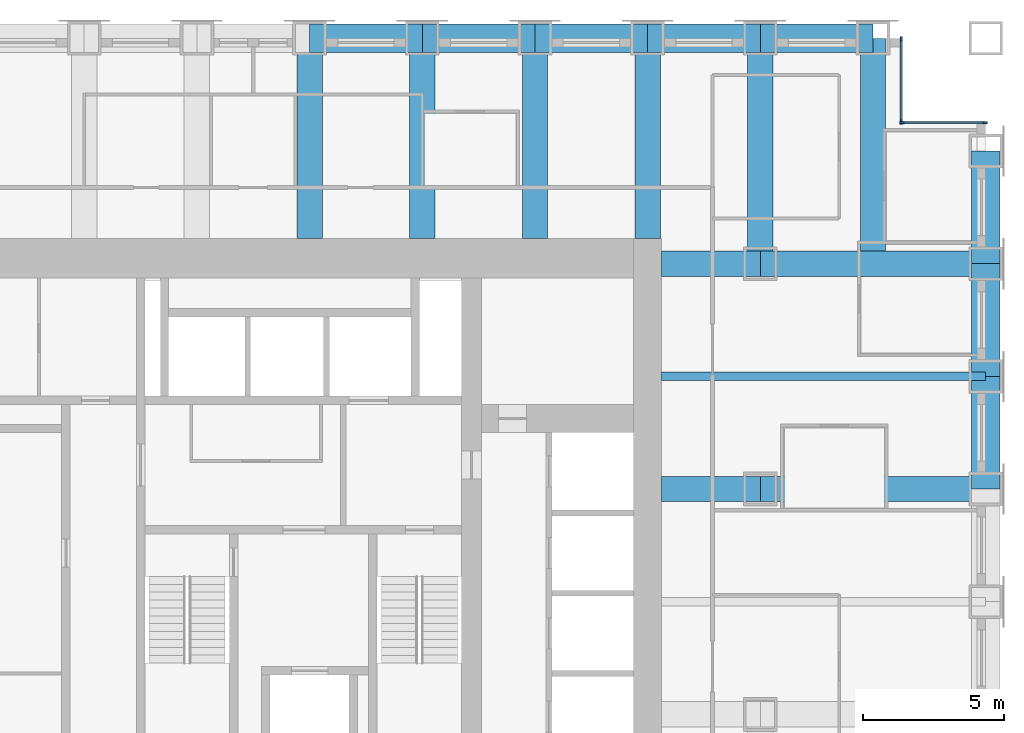
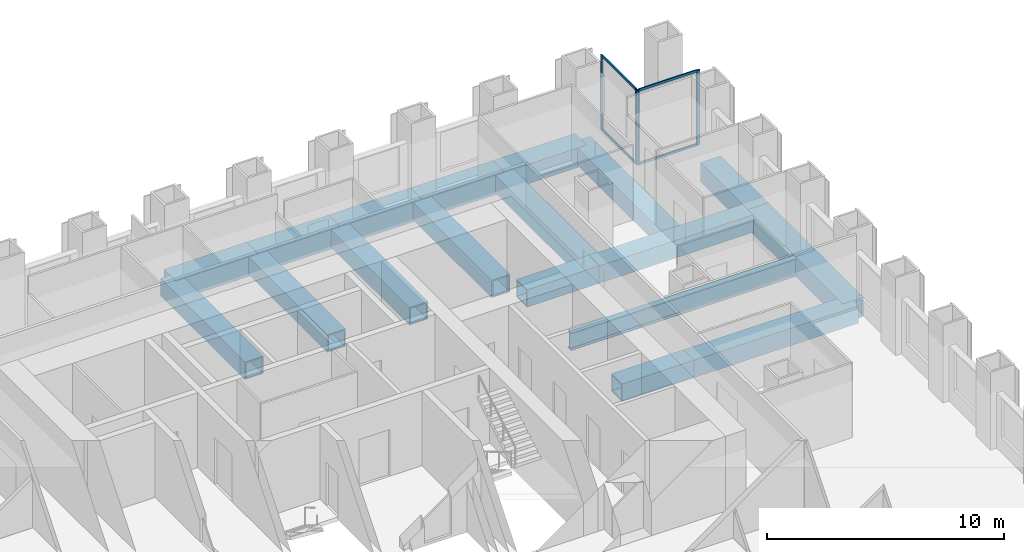
# One storey, part 7 of 15: 19 beams, 8 members, 2 elements without a shape of their own.
"""IFC4 building model written with IfcOpenShell, lengths in metres."""

from ifc_helpers import new_model, si_unit, direction, frame, origin, origin_2d, place, context, subcontext, project, spatial, rectangle, hollow_rectangle, i_section, extrude, material, material_profile, profile_set, type_object, element, aggregate, save


model = new_model("IFC4")

# Units and contexts
model_context = context("Model", 3, precision=1e-05, world=origin(), true_north=direction((0.0, 1.0)))
body_context = subcontext(model_context, "Body", "Model", "MODEL_VIEW")
ifc_project = project(units=[si_unit("LENGTHUNIT", "METRE"), si_unit("AREAUNIT", "SQUARE_METRE"), si_unit("VOLUMEUNIT", "CUBIC_METRE"), si_unit("PLANEANGLEUNIT", "RADIAN"), si_unit("MASSUNIT", "GRAM", prefix="KILO")], contexts=[model_context])

# Site, building, storey
site_placement = place(None, origin())
site = spatial("IfcSite", under=ifc_project, at=site_placement, CompositionType="ELEMENT")
building_placement = place(site_placement, origin())
building = spatial("IfcBuilding", under=site, at=building_placement, Name="Rimbunsela Tower", CompositionType="ELEMENT")
storey_placement = place(building_placement, frame((0.0, 0.0, 23.0)))
storey = spatial("IfcBuildingStorey", under=building, at=storey_placement, Name="L05", CompositionType="ELEMENT", Elevation=23.0)

# Beams
ifc_material_1 = material(Name="Steel BJ 55 (fy 410 MPa)", Category="steel")
ifc_material_profile_1 = material_profile(ifc_material_1, hollow_rectangle(XDim=1.0, YDim=1.0, WallThickness=0.10009765625, at=origin_2d()), Name="BOX 1000x1000x100")
ifc_profile_set_1 = profile_set([ifc_material_profile_1], Name="Steel BJ 55 (fy 410 MPa)")
beam_type_1 = type_object("IfcBeamType", Name="Beam BOX 1000x1000x100", PredefinedType="BEAM", material=ifc_profile_set_1)
for number, where, z_axis, x_axis, name in (
    (1, (30.0, 44.0, -0.64990234375), (1.0, 0.0, 0.0), (0.0, 1.0, 0.0), "Beam B3 L05"),
    (2, (34.0, 44.0, -0.64990234375), (1.0, 0.0, 0.0), (0.0, 1.0, 0.0), "Beam B3 L05"),
    (3, (38.0, 44.0, -0.64990234375), (1.0, 0.0, 0.0), (0.0, 1.0, 0.0), "Beam B3 L05"),
    (4, (42.0, 44.0, -0.64990234375), (1.0, 0.0, 0.0), (0.0, 1.0, 0.0), "Beam B3 L05"),
    (5, (46.0, 44.0, -0.64990234375), (1.0, 0.0, 0.0), (0.0, 1.0, 0.0), "Beam B3 L05"),
    (6, (54.0, 28.0, -0.64990234375), (0.0, 1.0, 0.0), (-1.0, 0.0, 0.0), "Beam B3 L05"),
    (7, (54.0, 32.0, -0.64990234375), (0.0, 1.0, 0.0), (-1.0, 0.0, 0.0), "Beam B3 L05"),
    (8, (54.0, 36.0, -0.64990234375), (0.0, 1.0, 0.0), (-1.0, 0.0, 0.0), "Beam B3 L05"),
):
    element("IfcBeam", number, at=place(storey_placement, frame(where, z_axis=z_axis, x_axis=x_axis)), inside=storey, type_object=beam_type_1, Name=name, PredefinedType="BEAM", context=body_context, shape_type="SweptSolid", body=[
        extrude(hollow_rectangle(XDim=1.0, YDim=1.0, WallThickness=0.10009765625, at=origin_2d()), origin(), (0.0, 0.0, 1.0), 4.0),
    ])
ifc_material_2 = material(Name="Steel BJ 55 (fy 410 MPa)", Category="steel")
ifc_material_profile_2 = material_profile(ifc_material_2, hollow_rectangle(XDim=0.89990234375, YDim=0.89990234375, WallThickness=0.06005859375, at=origin_2d()), Name="BOX 900x900x60")
ifc_profile_set_2 = profile_set([ifc_material_profile_2], Name="Steel BJ 55 (fy 410 MPa)")
beam_type_2 = type_object("IfcBeamType", Name="Beam BOX 900x900x60", PredefinedType="BEAM", material=ifc_profile_set_2)
for number, where, z_axis, x_axis, name in (
    (9, (30.0, 36.89990234375, -0.60009765625), (0.0, 1.0, 0.0), (-1.0, 0.0, 0.0), "Beam B1 L05"),
    (10, (34.0, 36.89990234375, -0.60009765625), (0.0, 1.0, 0.0), (-1.0, 0.0, 0.0), "Beam B1 L05"),
    (11, (38.0, 36.89990234375, -0.60009765625), (0.0, 1.0, 0.0), (-1.0, 0.0, 0.0), "Beam B1 L05"),
    (12, (42.0, 36.89990234375, -0.60009765625), (0.0, 1.0, 0.0), (-1.0, 0.0, 0.0), "Beam B1 L05"),
):
    element("IfcBeam", number, at=place(storey_placement, frame(where, z_axis=z_axis, x_axis=x_axis)), inside=storey, type_object=beam_type_2, Name=name, PredefinedType="BEAM", context=body_context, shape_type="SweptSolid", body=[
        extrude(hollow_rectangle(XDim=0.89990234375, YDim=0.89990234375, WallThickness=0.06005859375, at=origin_2d()), origin(), (0.0, 0.0, 1.0), 7.10009765625),
    ])
for number, where, z_axis, x_axis, name in (
    (13, (42.5, 28.0, -0.60009765625), (1.0, 0.0, 0.0), (0.0, 1.0, 0.0), "Beam B1 L05"),
    (14, (42.5, 36.0, -0.60009765625), (1.0, 0.0, 0.0), (0.0, 1.0, 0.0), "Beam B1 L05"),
):
    element("IfcBeam", number, at=place(storey_placement, frame(where, z_axis=z_axis, x_axis=x_axis)), inside=storey, type_object=beam_type_2, Name=name, PredefinedType="BEAM", context=body_context, shape_type="SweptSolid", body=[
        extrude(hollow_rectangle(XDim=0.89990234375, YDim=0.89990234375, WallThickness=0.06005859375, at=origin_2d()), origin(), (0.0, 0.0, 1.0), 3.5),
    ])
for number, where, z_axis, x_axis, name in (
    (15, (46.0, 28.0, -0.60009765625), (1.0, 0.0, 0.0), (0.0, 1.0, 0.0), "Beam B1 L05"),
    (16, (46.0, 36.0, -0.60009765625), (0.0, 1.0, 0.0), (-1.0, 0.0, 0.0), "Beam B1 L05"),
    (17, (46.0, 36.0, -0.60009765625), (1.0, 0.0, 0.0), (0.0, 1.0, 0.0), "Beam B1 L05"),
):
    element("IfcBeam", number, at=place(storey_placement, frame(where, z_axis=z_axis, x_axis=x_axis)), inside=storey, type_object=beam_type_2, Name=name, PredefinedType="BEAM", context=body_context, shape_type="SweptSolid", body=[
        extrude(hollow_rectangle(XDim=0.89990234375, YDim=0.89990234375, WallThickness=0.06005859375, at=origin_2d()), origin(), (0.0, 0.0, 1.0), 8.0),
    ])
beam_1_placement = place(storey_placement, frame((50.0, 36.449951171875, -0.60009765625), z_axis=(0.0, 1.0, 0.0), x_axis=(-1.0, 0.0, 0.0)))
element("IfcBeam", 18, at=beam_1_placement, inside=storey, type_object=beam_type_2, Name="Beam B1 L05", PredefinedType="BEAM", context=body_context, shape_type="SweptSolid", body=[
    extrude(hollow_rectangle(XDim=0.89990234375, YDim=0.89990234375, WallThickness=0.06005859375, at=origin_2d()), origin(), (0.0, 0.0, 1.0), 7.550048828125),
])
ifc_material_3 = material(Name="Steel BJ 55 (fy 410 MPa)", Category="steel")
ifc_material_profile_3 = material_profile(ifc_material_3, i_section(OverallWidth=0.300048828125, OverallDepth=0.89990234375, WebThickness=0.01611328125, FlangeThickness=0.028076171875, FilletRadius=0.028076171875, at=origin_2d()), Name="H 900x300x16x28")
ifc_profile_set_3 = profile_set([ifc_material_profile_3], Name="Steel BJ 55 (fy 410 MPa)")
beam_type_3 = type_object("IfcBeamType", Name="Beam H 900x300x16x28", PredefinedType="BEAM", material=ifc_profile_set_3)
beam_2_placement = place(storey_placement, frame((42.5, 32.0, -0.60009765625), z_axis=(1.0, 0.0, 0.0), x_axis=(0.0, 1.0, 0.0)))
element("IfcBeam", 19, at=beam_2_placement, inside=storey, type_object=beam_type_3, Name="Beam B2 L05", PredefinedType="BEAM", context=body_context, shape_type="SweptSolid", body=[
    extrude(i_section(OverallWidth=0.300048828125, OverallDepth=0.89990234375, WebThickness=0.01611328125, FlangeThickness=0.028076171875, FilletRadius=0.028076171875, at=origin_2d()), origin(), (0.0, 0.0, 1.0), 11.5),
])

# Curtain wall, members
ifc_material_4 = material(Name="Aluminium curtain wall", Category="aluminium")
curtain_wall_type = type_object("IfcCurtainWallType", Name="Corner glazing", PredefinedType="USERDEFINED", material=ifc_material_4)
curtain_wall_1_placement = place(storey_placement, origin())
curtain_wall_1 = element("IfcCurtainWall", 20, at=curtain_wall_1_placement, inside=storey, type_object=curtain_wall_type, Name="Corner glazing L05", ObjectType="CORNER GLAZING", PredefinedType="USERDEFINED")
ifc_material_5 = material(Name="Aluminium mullion", Category="aluminium")
ifc_material_profile_4 = material_profile(ifc_material_5, rectangle(XDim=0.06005859375, YDim=0.159912109375, at=origin_2d()), Name="Mullion 60x160")
ifc_profile_set_4 = profile_set([ifc_material_profile_4], Name="Aluminium mullion")
member_type_1 = type_object("IfcMemberType", Name="Curtain wall mullion 60x160", PredefinedType="MULLION", material=ifc_profile_set_4)
member_1_placement = place(storey_placement, frame((53.969970703125, 41.0, 0.0), z_axis=(0.0, 0.0, 1.0), x_axis=(0.0, -1.0, 0.0)))
member_1 = element("IfcMember", 21, at=member_1_placement, type_object=member_type_1, Name="CW5 mullion 1", PredefinedType="MULLION", context=body_context, shape_type="SweptSolid", body=[
    extrude(rectangle(XDim=0.06005859375, YDim=0.159912109375, at=origin_2d()), origin(), (0.0, 0.0, 1.0), 3.85009765625),
])
member_2_placement = place(storey_placement, frame((51.030029296875, 41.0, 0.0), z_axis=(0.0, 0.0, 1.0), x_axis=(0.0, -1.0, 0.0)))
member_2 = element("IfcMember", 22, at=member_2_placement, type_object=member_type_1, Name="CW5 mullion 2", PredefinedType="MULLION", context=body_context, shape_type="SweptSolid", body=[
    extrude(rectangle(XDim=0.06005859375, YDim=0.159912109375, at=origin_2d()), origin(), (0.0, 0.0, 1.0), 3.85009765625),
])

curtain_wall_2_placement = place(storey_placement, origin())
curtain_wall_2 = element("IfcCurtainWall", 23, at=curtain_wall_2_placement, inside=storey, type_object=curtain_wall_type, Name="Corner glazing L05", ObjectType="CORNER GLAZING", PredefinedType="USERDEFINED")
member_3_placement = place(storey_placement, frame((51.0, 41.030029296875, 0.0), z_axis=(0.0, 0.0, 1.0), x_axis=(-1.0, 0.0, 0.0)))
member_3 = element("IfcMember", 24, at=member_3_placement, type_object=member_type_1, Name="CW5 mullion 1", PredefinedType="MULLION", context=body_context, shape_type="SweptSolid", body=[
    extrude(rectangle(XDim=0.06005859375, YDim=0.159912109375, at=origin_2d()), origin(), (0.0, 0.0, 1.0), 3.85009765625),
])
member_4_placement = place(storey_placement, frame((51.0, 43.969970703125, 0.0), z_axis=(0.0, 0.0, 1.0), x_axis=(-1.0, 0.0, 0.0)))
member_4 = element("IfcMember", 25, at=member_4_placement, type_object=member_type_1, Name="CW5 mullion 2", PredefinedType="MULLION", context=body_context, shape_type="SweptSolid", body=[
    extrude(rectangle(XDim=0.06005859375, YDim=0.159912109375, at=origin_2d()), origin(), (0.0, 0.0, 1.0), 3.85009765625),
])

# Member
ifc_material_6 = material(Name="Aluminium transom", Category="aluminium")
ifc_material_profile_5 = material_profile(ifc_material_6, rectangle(XDim=0.06005859375, YDim=0.1201171875, at=origin_2d()), Name="Transom 60x120")
ifc_profile_set_5 = profile_set([ifc_material_profile_5], Name="Aluminium transom")
member_type_2 = type_object("IfcMemberType", Name="Curtain wall transom 60x120", PredefinedType="USERDEFINED", material=ifc_profile_set_5)
member_5_placement = place(storey_placement, frame((53.93994140625, 41.0, 0.030029296875), z_axis=(-1.0, 0.0, 0.0), x_axis=(0.0, -1.0, 0.0)))
member_5 = element("IfcMember", 26, at=member_5_placement, type_object=member_type_2, Name="CW5 transom 1.1", ObjectType="TRANSOM", PredefinedType="USERDEFINED", context=body_context, shape_type="SweptSolid", body=[
    extrude(rectangle(XDim=0.06005859375, YDim=0.1201171875, at=origin_2d()), origin(), (0.0, 0.0, 1.0), 2.8798828125),
])

member_6_placement = place(storey_placement, frame((53.93994140625, 41.0, 3.820068359375), z_axis=(-1.0, 0.0, 0.0), x_axis=(0.0, -1.0, 0.0)))
member_6 = element("IfcMember", 27, at=member_6_placement, type_object=member_type_2, Name="CW5 transom 1.2", ObjectType="TRANSOM", PredefinedType="USERDEFINED", context=body_context, shape_type="SweptSolid", body=[
    extrude(rectangle(XDim=0.06005859375, YDim=0.1201171875, at=origin_2d()), origin(), (0.0, 0.0, 1.0), 2.8798828125),
])

aggregate(curtain_wall_1, [member_1, member_2, member_5, member_6])

member_7_placement = place(storey_placement, frame((51.0, 41.06005859375, 0.030029296875), z_axis=(0.0, 1.0, 0.0), x_axis=(-1.0, 0.0, 0.0)))
member_7 = element("IfcMember", 28, at=member_7_placement, type_object=member_type_2, Name="CW5 transom 1.1", ObjectType="TRANSOM", PredefinedType="USERDEFINED", context=body_context, shape_type="SweptSolid", body=[
    extrude(rectangle(XDim=0.06005859375, YDim=0.1201171875, at=origin_2d()), origin(), (0.0, 0.0, 1.0), 2.8798828125),
])

member_8_placement = place(storey_placement, frame((51.0, 41.06005859375, 3.820068359375), z_axis=(0.0, 1.0, 0.0), x_axis=(-1.0, 0.0, 0.0)))
member_8 = element("IfcMember", 29, at=member_8_placement, type_object=member_type_2, Name="CW5 transom 1.2", ObjectType="TRANSOM", PredefinedType="USERDEFINED", context=body_context, shape_type="SweptSolid", body=[
    extrude(rectangle(XDim=0.06005859375, YDim=0.1201171875, at=origin_2d()), origin(), (0.0, 0.0, 1.0), 2.8798828125),
])

aggregate(curtain_wall_2, [member_3, member_4, member_7, member_8])

save(model, "model.ifc")
